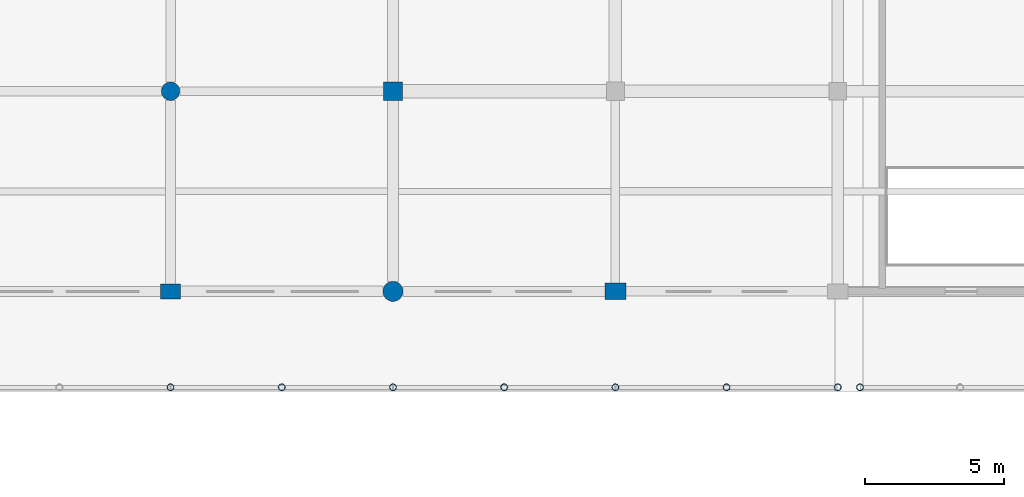
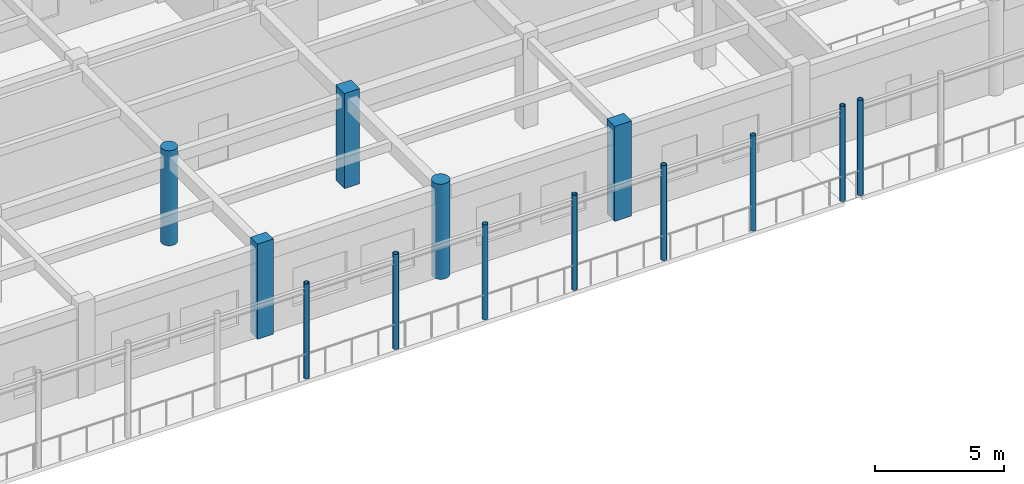
# One storey, part 24 of 160: 13 columns.
"""IFC4 building model written with IfcOpenShell, lengths in metres."""

from ifc_helpers import new_model, si_unit, direction, frame, origin, origin_2d, place, context, subcontext, project, spatial, rectangle, circle, hollow_circle, extrude, material, material_profile, profile_set, type_object, element, save


model = new_model("IFC4")

# Units and contexts
model_context = context("Model", 3, precision=1e-05, world=origin(), true_north=direction((0.0, 1.0)))
body_context = subcontext(model_context, "Body", "Model", "MODEL_VIEW")
ifc_project = project(units=[si_unit("LENGTHUNIT", "METRE"), si_unit("AREAUNIT", "SQUARE_METRE"), si_unit("VOLUMEUNIT", "CUBIC_METRE"), si_unit("PLANEANGLEUNIT", "RADIAN"), si_unit("MASSUNIT", "GRAM", prefix="KILO")], contexts=[model_context])

# Site, building, storey
site_placement = place(None, origin())
site = spatial("IfcSite", under=ifc_project, at=site_placement, CompositionType="ELEMENT")
building_placement = place(site_placement, origin())
building = spatial("IfcBuilding", under=site, at=building_placement, Name="Kharva Crest Polytechnic", CompositionType="ELEMENT")
storey_placement = place(building_placement, frame((0.0, 0.0, 4.5)))
storey = spatial("IfcBuildingStorey", under=building, at=storey_placement, Name="L01", CompositionType="ELEMENT", Elevation=4.5)

# Columns
ifc_material_1 = material(Name="Concrete C40/50", Category="concrete")
ifc_material_profile_1 = material_profile(ifc_material_1, rectangle(XDim=0.719970703125, YDim=0.550048828125, at=origin_2d()), Name="RECT 720 X 550")
ifc_profile_set_1 = profile_set([ifc_material_profile_1], Name="Concrete C40/50")
column_type_1 = type_object("IfcColumnType", Name="COL-EXT-720X550", PredefinedType="COLUMN", material=ifc_profile_set_1)
column_1_placement = place(storey_placement, frame((96.0, 100.39990234375, 0.0), z_axis=(0.0, 0.0, 1.0), x_axis=(1.0, 0.0, 0.0)))
element("IfcColumn", 1, at=column_1_placement, inside=storey, type_object=column_type_1, Name="L01 Column 13/P", PredefinedType="COLUMN", context=body_context, shape_type="SweptSolid", body=[
    extrude(rectangle(XDim=0.719970703125, YDim=0.550048828125, at=origin_2d()), origin(), (0.0, 0.0, 1.0), 4.5),
])
ifc_material_profile_2 = material_profile(ifc_material_1, rectangle(XDim=0.75, YDim=0.60009765625, at=origin_2d()), Name="RECT 750 X 600")
ifc_profile_set_2 = profile_set([ifc_material_profile_2], Name="Concrete C40/50")
column_type_2 = type_object("IfcColumnType", Name="COL-EXT-750X600", PredefinedType="COLUMN", material=ifc_profile_set_2)
column_2_placement = place(storey_placement, frame((112.0, 100.39990234375, 0.0), z_axis=(0.0, 0.0, 1.0), x_axis=(1.0, 0.0, 0.0)))
element("IfcColumn", 2, at=column_2_placement, inside=storey, type_object=column_type_2, Name="L01 Column 15/P", PredefinedType="COLUMN", context=body_context, shape_type="SweptSolid", body=[
    extrude(rectangle(XDim=0.75, YDim=0.60009765625, at=origin_2d()), origin(), (0.0, 0.0, 1.0), 4.5),
])
ifc_material_profile_3 = material_profile(ifc_material_1, circle(Radius=0.360107421875, at=origin_2d()), Name="DIA 720")
ifc_profile_set_3 = profile_set([ifc_material_profile_3], Name="Concrete C40/50")
column_type_3 = type_object("IfcColumnType", Name="COL-EXT-DIA720", PredefinedType="COLUMN", material=ifc_profile_set_3)
column_3_placement = place(storey_placement, frame((104.0, 100.39990234375, 0.0), z_axis=(0.0, 0.0, 1.0), x_axis=(1.0, 0.0, 0.0)))
element("IfcColumn", 3, at=column_3_placement, inside=storey, type_object=column_type_3, Name="L01 Column 14/P", PredefinedType="COLUMN", context=body_context, shape_type="SweptSolid", body=[
    extrude(circle(Radius=0.360107421875, at=origin_2d()), origin(), (0.0, 0.0, 1.0), 4.5),
])
ifc_material_profile_4 = material_profile(ifc_material_1, rectangle(XDim=0.679931640625, YDim=0.679931640625, at=origin_2d()), Name="RECT 680 X 680")
ifc_profile_set_4 = profile_set([ifc_material_profile_4], Name="Concrete C40/50")
column_type_4 = type_object("IfcColumnType", Name="COL-INT-680X680", PredefinedType="COLUMN", material=ifc_profile_set_4)
column_4_placement = place(storey_placement, frame((104.0, 107.60009765625, 0.0), z_axis=(0.0, 0.0, 1.0), x_axis=(1.0, 0.0, 0.0)))
element("IfcColumn", 4, at=column_4_placement, inside=storey, type_object=column_type_4, Name="L01 Column 14/Q", PredefinedType="COLUMN", context=body_context, shape_type="SweptSolid", body=[
    extrude(rectangle(XDim=0.679931640625, YDim=0.679931640625, at=origin_2d()), origin(), (0.0, 0.0, 1.0), 4.5),
])
ifc_material_profile_5 = material_profile(ifc_material_1, circle(Radius=0.330078125, at=origin_2d()), Name="DIA 660")
ifc_profile_set_5 = profile_set([ifc_material_profile_5], Name="Concrete C40/50")
column_type_5 = type_object("IfcColumnType", Name="COL-INT-DIA660", PredefinedType="COLUMN", material=ifc_profile_set_5)
column_5_placement = place(storey_placement, frame((96.0, 107.60009765625, 0.0), z_axis=(0.0, 0.0, 1.0), x_axis=(1.0, 0.0, 0.0)))
element("IfcColumn", 5, at=column_5_placement, inside=storey, type_object=column_type_5, Name="L01 Column 13/Q", PredefinedType="COLUMN", context=body_context, shape_type="SweptSolid", body=[
    extrude(circle(Radius=0.330078125, at=origin_2d()), origin(), (0.0, 0.0, 1.0), 4.5),
])
ifc_material_2 = material(Name="Steel S355", Category="steel")
ifc_material_profile_6 = material_profile(ifc_material_2, hollow_circle(Radius=0.122314453125, WallThickness=0.010009765625, at=origin_2d()), Name="CHS 244.5X10.0")
ifc_profile_set_6 = profile_set([ifc_material_profile_6], Name="Steel S355")
column_type_6 = type_object("IfcColumnType", Name="COL-STL-CHS244", PredefinedType="COLUMN", material=ifc_profile_set_6)
for number, where, z_axis, x_axis, name in (
    (6, (96.0, 96.949951171875, 0.0), (0.0, 0.0, 1.0), (1.0, 0.0, 0.0), "L01 Colonnade Column VN06"),
    (7, (104.0, 96.949951171875, 0.0), (0.0, 0.0, 1.0), (1.0, 0.0, 0.0), "L01 Colonnade Column VN07"),
    (8, (112.0, 96.949951171875, 0.0), (0.0, 0.0, 1.0), (1.0, 0.0, 0.0), "L01 Colonnade Column VN08"),
    (9, (120.0, 96.949951171875, 0.0), (0.0, 0.0, 1.0), (1.0, 0.0, 0.0), "L01 Colonnade Column VN09"),
    (10, (120.800048828125, 96.949951171875, 0.0), (0.0, 0.0, 1.0), (1.0, 0.0, 0.0), "L01 Colonnade Column VN10"),
    (11, (100.0, 96.949951171875, 0.0), (0.0, 0.0, 1.0), (1.0, 0.0, 0.0), "L01 Colonnade Mid Column VNM06"),
    (12, (108.0, 96.949951171875, 0.0), (0.0, 0.0, 1.0), (1.0, 0.0, 0.0), "L01 Colonnade Mid Column VNM07"),
    (13, (116.0, 96.949951171875, 0.0), (0.0, 0.0, 1.0), (1.0, 0.0, 0.0), "L01 Colonnade Mid Column VNM08"),
):
    element("IfcColumn", number, at=place(storey_placement, frame(where, z_axis=z_axis, x_axis=x_axis)), inside=storey, type_object=column_type_6, Name=name, PredefinedType="COLUMN", context=body_context, shape_type="SweptSolid", body=[
        extrude(hollow_circle(Radius=0.122314453125, WallThickness=0.010009765625, at=origin_2d()), origin(), (0.0, 0.0, 1.0), 4.5),
    ])

save(model, "model.ifc")
